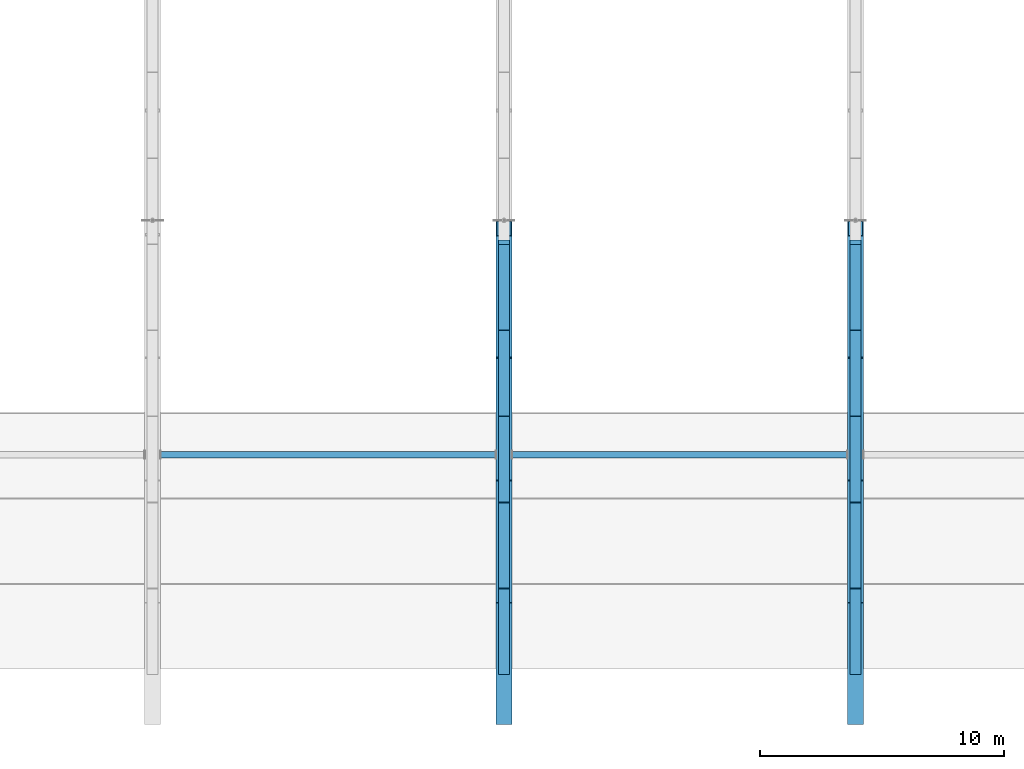
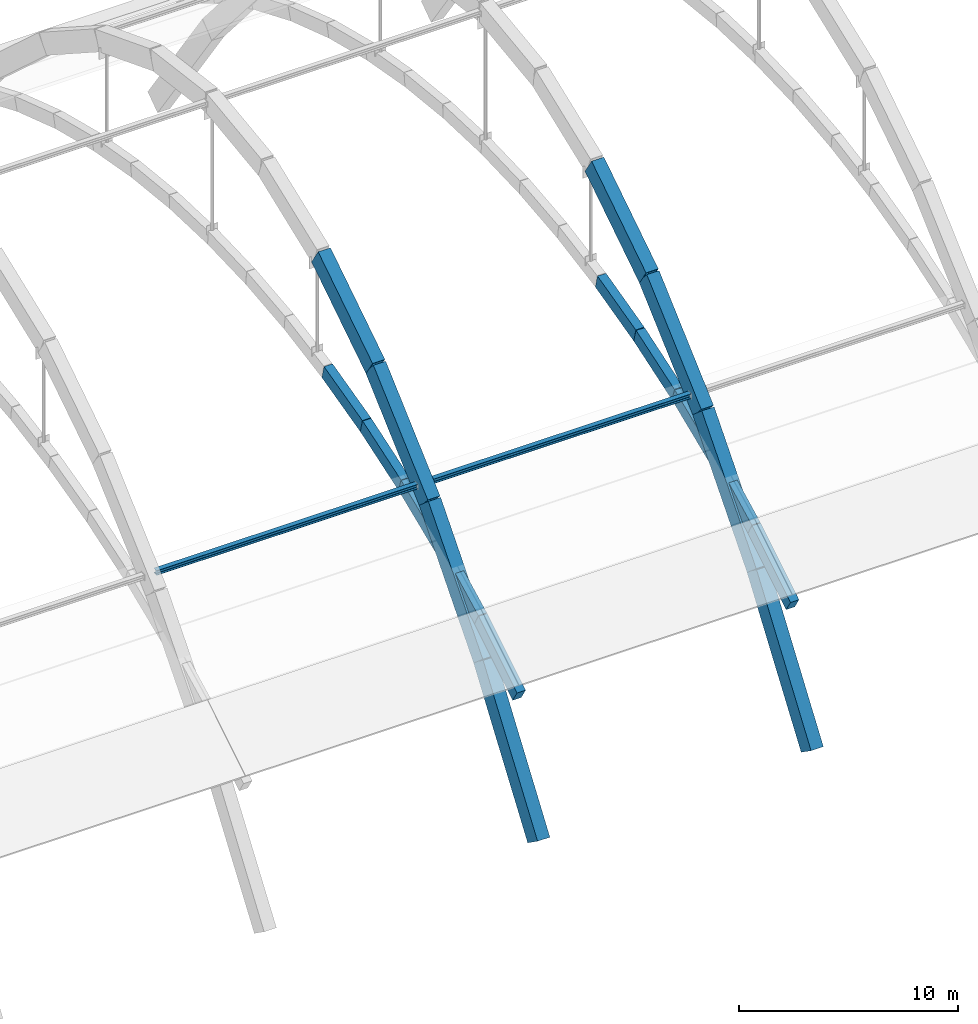
# One storey, part 8 of 64: 10 beams, 10 members.
"""IFC4 building model written with IfcOpenShell, lengths in metres."""

from ifc_helpers import new_model, si_unit, direction, frame, origin, origin_2d, place, context, subcontext, project, spatial, rectangle, hollow_rectangle, i_section, extrude, material, material_profile, profile_set, type_object, element, save


model = new_model("IFC4")

# Units and contexts
model_context = context("Model", 3, precision=1e-05, world=origin(), true_north=direction((0.0, 1.0)))
body_context = subcontext(model_context, "Body", "Model", "MODEL_VIEW")
ifc_project = project(units=[si_unit("LENGTHUNIT", "METRE"), si_unit("AREAUNIT", "SQUARE_METRE"), si_unit("VOLUMEUNIT", "CUBIC_METRE"), si_unit("PLANEANGLEUNIT", "RADIAN"), si_unit("MASSUNIT", "GRAM", prefix="KILO")], contexts=[model_context])

# Site, building, storey
site_placement = place(None, origin())
site = spatial("IfcSite", under=ifc_project, at=site_placement, CompositionType="ELEMENT")
building_placement = place(site_placement, origin())
building = spatial("IfcBuilding", under=site, at=building_placement, Name="Leyfeld Transit Interchange", CompositionType="ELEMENT")
storey_placement = place(building_placement, frame((0.0, 0.0, 9.60009765625)))
storey = spatial("IfcBuildingStorey", under=building, at=storey_placement, Name="L02", CompositionType="ELEMENT", Elevation=9.60009765625)

# Beams
ifc_material_1 = material(Name="Concrete C40/50", Category="concrete")
ifc_material_profile_1 = material_profile(ifc_material_1, rectangle(XDim=0.449951171875, YDim=0.75, at=origin_2d()), Name="RC 750x450 RIB")
ifc_profile_set_1 = profile_set([ifc_material_profile_1], Name="Concrete C40/50")
beam_type = type_object("IfcBeamType", Name="BM-RIB-750x450", PredefinedType="USERDEFINED", material=ifc_profile_set_1)
beam_1_placement = place(storey_placement, frame((43.199951171875, 4.39990234375, -1.135009765625), z_axis=(0.0, 0.850840137882, 0.525424647089), x_axis=(-1.0, 0.0, 0.0)))
element("IfcBeam", 1, at=beam_1_placement, inside=storey, type_object=beam_type, Name="Concourse Vault Rib A4 Seg 1", ObjectType="ARCH_RIB", PredefinedType="USERDEFINED", context=body_context, shape_type="SweptSolid", body=[
    extrude(rectangle(XDim=0.449951171875, YDim=0.75, at=origin_2d()), origin(), (0.0, 0.0, 1.0), 4.113525390625),
])
beam_2_placement = place(storey_placement, frame((43.199951171875, 7.89990234375, 1.0263671875), z_axis=(0.0, 0.890316086289, 0.455343020694), x_axis=(-1.0, 0.0, 0.0)))
element("IfcBeam", 2, at=beam_2_placement, inside=storey, type_object=beam_type, Name="Concourse Vault Rib A4 Seg 2", ObjectType="ARCH_RIB", PredefinedType="USERDEFINED", context=body_context, shape_type="SweptSolid", body=[
    extrude(rectangle(XDim=0.449951171875, YDim=0.75, at=origin_2d()), origin(), (0.0, 0.0, 1.0), 3.93115234375),
])
beam_3_placement = place(storey_placement, frame((43.199951171875, 11.39990234375, 2.81640625), z_axis=(0.0, 0.922787193718, 0.385309998716), x_axis=(-1.0, 0.0, 0.0)))
element("IfcBeam", 3, at=beam_3_placement, inside=storey, type_object=beam_type, Name="Concourse Vault Rib A4 Seg 3", ObjectType="ARCH_RIB", PredefinedType="USERDEFINED", context=body_context, shape_type="SweptSolid", body=[
    extrude(rectangle(XDim=0.449951171875, YDim=0.75, at=origin_2d()), origin(), (0.0, 0.0, 1.0), 3.79296875),
])
beam_4_placement = place(storey_placement, frame((43.199951171875, 14.89990234375, 4.27783203125), z_axis=(0.0, 0.949033570575, 0.315175002058), x_axis=(-1.0, 0.0, 0.0)))
element("IfcBeam", 4, at=beam_4_placement, inside=storey, type_object=beam_type, Name="Concourse Vault Rib A4 Seg 4", ObjectType="ARCH_RIB", PredefinedType="USERDEFINED", context=body_context, shape_type="SweptSolid", body=[
    extrude(rectangle(XDim=0.449951171875, YDim=0.75, at=origin_2d()), origin(), (0.0, 0.0, 1.0), 3.68798828125),
])
beam_5_placement = place(storey_placement, frame((43.199951171875, 18.39990234375, 5.440185546875), z_axis=(0.0, 0.969486598247, 0.245144316312), x_axis=(-1.0, 0.0, 0.0)))
element("IfcBeam", 5, at=beam_5_placement, inside=storey, type_object=beam_type, Name="Concourse Vault Rib A4 Seg 5", ObjectType="ARCH_RIB", PredefinedType="USERDEFINED", context=body_context, shape_type="SweptSolid", body=[
    extrude(rectangle(XDim=0.449951171875, YDim=0.75, at=origin_2d()), origin(), (0.0, 0.0, 1.0), 3.610107421875),
])
beam_6_placement = place(storey_placement, frame((57.60009765625, 4.39990234375, -1.135009765625), z_axis=(0.0, 0.850840137882, 0.525424647089), x_axis=(-1.0, 0.0, 0.0)))
element("IfcBeam", 6, at=beam_6_placement, inside=storey, type_object=beam_type, Name="Concourse Vault Rib A5 Seg 1", ObjectType="ARCH_RIB", PredefinedType="USERDEFINED", context=body_context, shape_type="SweptSolid", body=[
    extrude(rectangle(XDim=0.449951171875, YDim=0.75, at=origin_2d()), origin(), (0.0, 0.0, 1.0), 4.113525390625),
])
beam_7_placement = place(storey_placement, frame((57.60009765625, 7.89990234375, 1.0263671875), z_axis=(0.0, 0.890316086289, 0.455343020694), x_axis=(-1.0, 0.0, 0.0)))
element("IfcBeam", 7, at=beam_7_placement, inside=storey, type_object=beam_type, Name="Concourse Vault Rib A5 Seg 2", ObjectType="ARCH_RIB", PredefinedType="USERDEFINED", context=body_context, shape_type="SweptSolid", body=[
    extrude(rectangle(XDim=0.449951171875, YDim=0.75, at=origin_2d()), origin(), (0.0, 0.0, 1.0), 3.93115234375),
])
beam_8_placement = place(storey_placement, frame((57.60009765625, 11.39990234375, 2.81640625), z_axis=(0.0, 0.922787193718, 0.385309998716), x_axis=(-1.0, 0.0, 0.0)))
element("IfcBeam", 8, at=beam_8_placement, inside=storey, type_object=beam_type, Name="Concourse Vault Rib A5 Seg 3", ObjectType="ARCH_RIB", PredefinedType="USERDEFINED", context=body_context, shape_type="SweptSolid", body=[
    extrude(rectangle(XDim=0.449951171875, YDim=0.75, at=origin_2d()), origin(), (0.0, 0.0, 1.0), 3.79296875),
])
beam_9_placement = place(storey_placement, frame((57.60009765625, 14.89990234375, 4.27783203125), z_axis=(0.0, 0.949033570575, 0.315175002058), x_axis=(-1.0, 0.0, 0.0)))
element("IfcBeam", 9, at=beam_9_placement, inside=storey, type_object=beam_type, Name="Concourse Vault Rib A5 Seg 4", ObjectType="ARCH_RIB", PredefinedType="USERDEFINED", context=body_context, shape_type="SweptSolid", body=[
    extrude(rectangle(XDim=0.449951171875, YDim=0.75, at=origin_2d()), origin(), (0.0, 0.0, 1.0), 3.68798828125),
])
beam_10_placement = place(storey_placement, frame((57.60009765625, 18.39990234375, 5.440185546875), z_axis=(0.0, 0.969486598247, 0.245144316312), x_axis=(-1.0, 0.0, 0.0)))
element("IfcBeam", 10, at=beam_10_placement, inside=storey, type_object=beam_type, Name="Concourse Vault Rib A5 Seg 5", ObjectType="ARCH_RIB", PredefinedType="USERDEFINED", context=body_context, shape_type="SweptSolid", body=[
    extrude(rectangle(XDim=0.449951171875, YDim=0.75, at=origin_2d()), origin(), (0.0, 0.0, 1.0), 3.610107421875),
])

# Members
ifc_material_2 = material(Name="Steel S355J2 - Ochre Arch", Category="steel")
ifc_material_profile_2 = material_profile(ifc_material_2, hollow_rectangle(XDim=0.64990234375, YDim=1.10009765625, WallThickness=0.035888671875, at=origin_2d()), Name="RHS 1100x650x36")
ifc_profile_set_2 = profile_set([ifc_material_profile_2], Name="Steel S355J2 - Ochre Arch")
member_type_1 = type_object("IfcMemberType", Name="MEM-ARCH-1100", PredefinedType="USERDEFINED", material=ifc_profile_set_2)
member_1_placement = place(storey_placement, frame((43.199951171875, 2.60009765625, -8.10009765625), z_axis=(0.0, 0.575459771691, 0.817830086977), x_axis=(-1.0, 0.0, 0.0)))
element("IfcMember", 11, at=member_1_placement, inside=storey, type_object=member_type_1, Name="Primary Steel Arch AR-03 Seg 1", ObjectType="ARCH_SEGMENT", PredefinedType="USERDEFINED", context=body_context, shape_type="SweptSolid", body=[
    extrude(hollow_rectangle(XDim=0.64990234375, YDim=1.10009765625, WallThickness=0.035888671875, at=origin_2d()), origin(), (0.0, 0.0, 1.0), 8.630615234375),
])
member_2_placement = place(storey_placement, frame((43.199951171875, 7.566650390625, -1.041748046875), z_axis=(0.0, 0.652049586975, 0.758176322583), x_axis=(-1.0, 0.0, 0.0)))
element("IfcMember", 12, at=member_2_placement, inside=storey, type_object=member_type_1, Name="Primary Steel Arch AR-03 Seg 2", ObjectType="ARCH_SEGMENT", PredefinedType="USERDEFINED", context=body_context, shape_type="SweptSolid", body=[
    extrude(hollow_rectangle(XDim=0.64990234375, YDim=1.10009765625, WallThickness=0.035888671875, at=origin_2d()), origin(), (0.0, 0.0, 1.0), 7.616943359375),
])
member_3_placement = place(storey_placement, frame((43.199951171875, 12.533203125, 4.733154296875), z_axis=(0.0, 0.741689498997, 0.670743383924), x_axis=(-1.0, 0.0, 0.0)))
element("IfcMember", 13, at=member_3_placement, inside=storey, type_object=member_type_1, Name="Primary Steel Arch AR-03 Seg 3", ObjectType="ARCH_SEGMENT", PredefinedType="USERDEFINED", context=body_context, shape_type="SweptSolid", body=[
    extrude(hollow_rectangle(XDim=0.64990234375, YDim=1.10009765625, WallThickness=0.035888671875, at=origin_2d()), origin(), (0.0, 0.0, 1.0), 6.696533203125),
])
member_4_placement = place(storey_placement, frame((43.199951171875, 17.5, 9.224853515625), z_axis=(0.0, 0.839979785282, 0.542617692596), x_axis=(-1.0, 0.0, 0.0)))
element("IfcMember", 14, at=member_4_placement, inside=storey, type_object=member_type_1, Name="Primary Steel Arch AR-03 Seg 4", ObjectType="ARCH_SEGMENT", PredefinedType="USERDEFINED", context=body_context, shape_type="SweptSolid", body=[
    extrude(hollow_rectangle(XDim=0.64990234375, YDim=1.10009765625, WallThickness=0.035888671875, at=origin_2d()), origin(), (0.0, 0.0, 1.0), 5.9130859375),
])
member_5_placement = place(storey_placement, frame((57.60009765625, 2.60009765625, -8.10009765625), z_axis=(0.0, 0.575459771691, 0.817830086977), x_axis=(-1.0, 0.0, 0.0)))
element("IfcMember", 15, at=member_5_placement, inside=storey, type_object=member_type_1, Name="Primary Steel Arch AR-04 Seg 1", ObjectType="ARCH_SEGMENT", PredefinedType="USERDEFINED", context=body_context, shape_type="SweptSolid", body=[
    extrude(hollow_rectangle(XDim=0.64990234375, YDim=1.10009765625, WallThickness=0.035888671875, at=origin_2d()), origin(), (0.0, 0.0, 1.0), 8.630615234375),
])
member_6_placement = place(storey_placement, frame((57.60009765625, 7.566650390625, -1.041748046875), z_axis=(0.0, 0.652049586975, 0.758176322583), x_axis=(-1.0, 0.0, 0.0)))
element("IfcMember", 16, at=member_6_placement, inside=storey, type_object=member_type_1, Name="Primary Steel Arch AR-04 Seg 2", ObjectType="ARCH_SEGMENT", PredefinedType="USERDEFINED", context=body_context, shape_type="SweptSolid", body=[
    extrude(hollow_rectangle(XDim=0.64990234375, YDim=1.10009765625, WallThickness=0.035888671875, at=origin_2d()), origin(), (0.0, 0.0, 1.0), 7.616943359375),
])
member_7_placement = place(storey_placement, frame((57.60009765625, 12.533203125, 4.733154296875), z_axis=(0.0, 0.741689498997, 0.670743383924), x_axis=(-1.0, 0.0, 0.0)))
element("IfcMember", 17, at=member_7_placement, inside=storey, type_object=member_type_1, Name="Primary Steel Arch AR-04 Seg 3", ObjectType="ARCH_SEGMENT", PredefinedType="USERDEFINED", context=body_context, shape_type="SweptSolid", body=[
    extrude(hollow_rectangle(XDim=0.64990234375, YDim=1.10009765625, WallThickness=0.035888671875, at=origin_2d()), origin(), (0.0, 0.0, 1.0), 6.696533203125),
])
member_8_placement = place(storey_placement, frame((57.60009765625, 17.5, 9.224853515625), z_axis=(0.0, 0.839979785282, 0.542617692596), x_axis=(-1.0, 0.0, 0.0)))
element("IfcMember", 18, at=member_8_placement, inside=storey, type_object=member_type_1, Name="Primary Steel Arch AR-04 Seg 4", ObjectType="ARCH_SEGMENT", PredefinedType="USERDEFINED", context=body_context, shape_type="SweptSolid", body=[
    extrude(hollow_rectangle(XDim=0.64990234375, YDim=1.10009765625, WallThickness=0.035888671875, at=origin_2d()), origin(), (0.0, 0.0, 1.0), 5.9130859375),
])
ifc_material_3 = material(Name="Steel S355J2", Category="steel")
ifc_material_profile_3 = material_profile(ifc_material_3, i_section(OverallWidth=0.260009765625, OverallDepth=0.260009765625, WebThickness=0.010009765625, FlangeThickness=0.017578125, FilletRadius=0.02392578125, at=origin_2d()), Name="HEB 260")
ifc_profile_set_3 = profile_set([ifc_material_profile_3], Name="Steel S355J2")
member_type_2 = type_object("IfcMemberType", Name="MEM-CHD-HEB260", PredefinedType="CHORD", material=ifc_profile_set_3)
for number, where, z_axis, x_axis, name in (
    (19, (29.125, 13.199951171875, 5.336181640625), (1.0, 0.0, 0.0), (0.0, 1.0, 0.0), "Arch Longitudinal Tie Chord B3 T1"),
    (20, (43.52490234375, 13.199951171875, 5.336181640625), (1.0, 0.0, 0.0), (0.0, 1.0, 0.0), "Arch Longitudinal Tie Chord B4 T1"),
):
    element("IfcMember", number, at=place(storey_placement, frame(where, z_axis=z_axis, x_axis=x_axis)), inside=storey, type_object=member_type_2, Name=name, PredefinedType="CHORD", context=body_context, shape_type="SweptSolid", body=[
        extrude(i_section(OverallWidth=0.260009765625, OverallDepth=0.260009765625, WebThickness=0.010009765625, FlangeThickness=0.017578125, FilletRadius=0.02392578125, at=origin_2d()), origin(), (0.0, 0.0, 1.0), 13.75),
    ])

save(model, "model.ifc")
